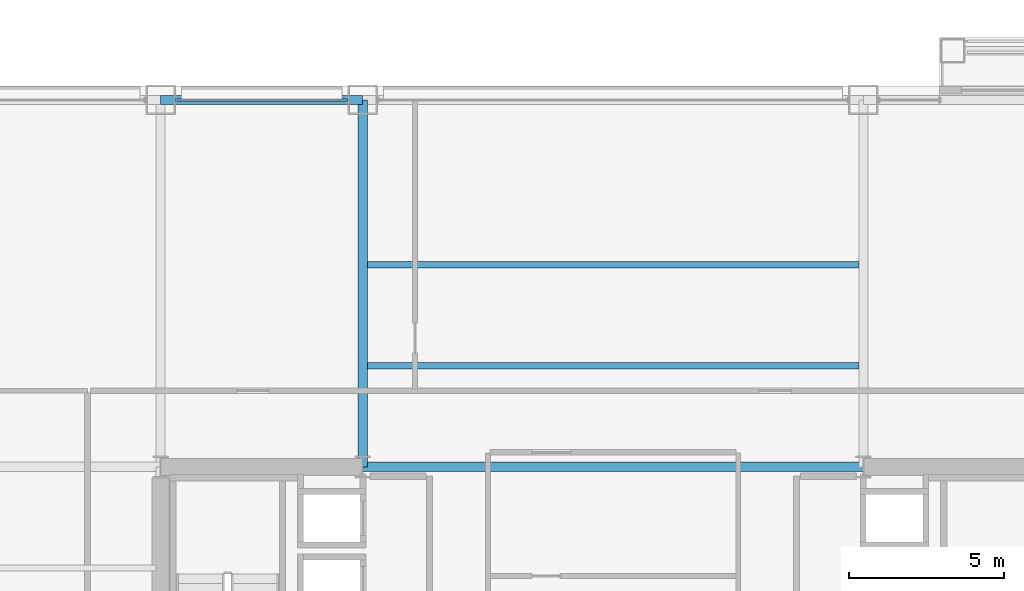
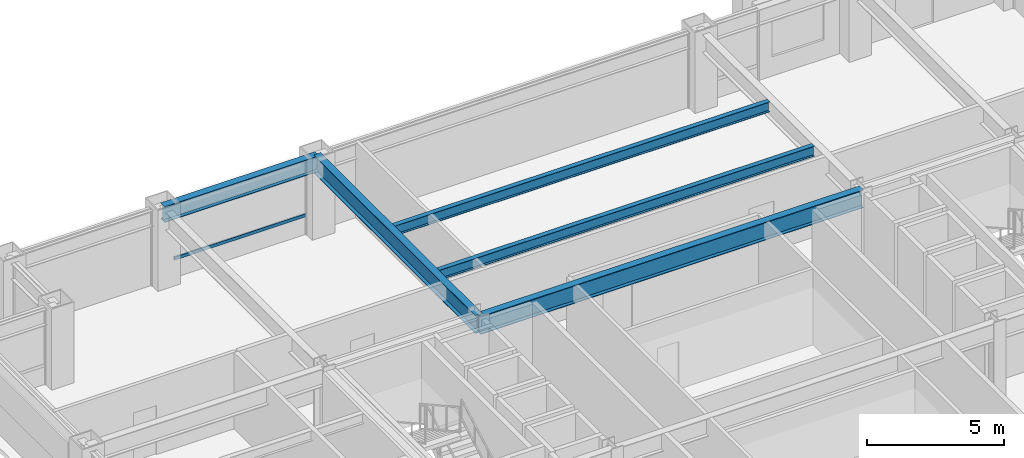
# One storey, part 18 of 31: 5 beams, 1 member, 1 element without a shape of its own.
"""IFC4 building model written with IfcOpenShell, lengths in metres."""

from ifc_helpers import new_model, si_unit, direction, frame, origin, origin_2d, place, context, subcontext, project, spatial, hollow_rectangle, i_section, extrude, material, layer, layer_set, material_profile, profile_set, type_object, element, aggregate, save


model = new_model("IFC4")

# Units and contexts
model_context = context("Model", 3, precision=1e-05, world=origin(), true_north=direction((0.0, 1.0)))
body_context = subcontext(model_context, "Body", "Model", "MODEL_VIEW")
ifc_project = project(units=[si_unit("LENGTHUNIT", "METRE"), si_unit("AREAUNIT", "SQUARE_METRE"), si_unit("VOLUMEUNIT", "CUBIC_METRE"), si_unit("PLANEANGLEUNIT", "RADIAN"), si_unit("MASSUNIT", "GRAM", prefix="KILO")], contexts=[model_context])

# Site, building, storey
site_placement = place(None, origin())
site = spatial("IfcSite", under=ifc_project, at=site_placement, CompositionType="ELEMENT")
building_placement = place(site_placement, origin())
building = spatial("IfcBuilding", under=site, at=building_placement, Name="Brelmoor Portico Tower", CompositionType="ELEMENT")
storey_placement = place(building_placement, frame((0.0, 0.0, 27.60009765625)))
storey = spatial("IfcBuildingStorey", under=building, at=storey_placement, Name="L06", CompositionType="ELEMENT", Elevation=27.60009765625)

# Beams
ifc_material_1 = material(Name="Steel Q355B", Category="steel")
ifc_material_profile_1 = material_profile(ifc_material_1, i_section(OverallWidth=0.199951171875, OverallDepth=0.449951171875, WebThickness=0.009033203125, FlangeThickness=0.013916015625, at=origin_2d()), Name="HN 450x200x9x14")
ifc_profile_set_1 = profile_set([ifc_material_profile_1], Name="Steel Q355B")
beam_type_1 = type_object("IfcBeamType", Name="BM-JS-450", PredefinedType="JOIST", material=ifc_profile_set_1)
for number, where, z_axis, x_axis, name in (
    (1, (-7.89990234375, 13.0, 3.1748046875), (1.0, 0.0, 0.0), (0.0, 1.0, 0.0), "L06 Secondary Composite Joist JS-C03"),
    (2, (-7.89990234375, 16.25, 3.1748046875), (1.0, 0.0, 0.0), (0.0, 1.0, 0.0), "L06 Secondary Composite Joist JS-C04"),
):
    element("IfcBeam", number, at=place(storey_placement, frame(where, z_axis=z_axis, x_axis=x_axis)), inside=storey, type_object=beam_type_1, Name=name, PredefinedType="JOIST", context=body_context, shape_type="SweptSolid", body=[
        extrude(i_section(OverallWidth=0.199951171875, OverallDepth=0.449951171875, WebThickness=0.009033203125, FlangeThickness=0.013916015625, at=origin_2d()), origin(), (0.0, 0.0, 1.0), 15.7998046875),
    ])
ifc_material_profile_2 = material_profile(ifc_material_1, i_section(OverallWidth=0.300048828125, OverallDepth=0.800048828125, WebThickness=0.013916015625, FlangeThickness=0.02587890625, at=origin_2d()), Name="HN 800x300x14x26")
ifc_profile_set_2 = profile_set([ifc_material_profile_2], Name="Steel Q355B")
beam_type_2 = type_object("IfcBeamType", Name="BM-PG-800", PredefinedType="BEAM", material=ifc_profile_set_2)
beam_1_placement = place(storey_placement, frame((-8.050048828125, 9.75, 3.0), z_axis=(0.0, 1.0, 0.0), x_axis=(-1.0, 0.0, 0.0)))
element("IfcBeam", 3, at=beam_1_placement, inside=storey, type_object=beam_type_2, Name="L06 Primary Floor Girder PG-08", PredefinedType="BEAM", context=body_context, shape_type="SweptSolid", body=[
    extrude(i_section(OverallWidth=0.300048828125, OverallDepth=0.800048828125, WebThickness=0.013916015625, FlangeThickness=0.02587890625, at=origin_2d()), origin(), (0.0, 0.0, 1.0), 11.800048828125),
])
beam_2_placement = place(storey_placement, frame((-8.050048828125, 9.75, 3.0), z_axis=(1.0, 0.0, 0.0), x_axis=(0.0, 1.0, 0.0)))
element("IfcBeam", 4, at=beam_2_placement, inside=storey, type_object=beam_type_2, Name="L06 Primary Floor Girder PG-29", PredefinedType="BEAM", context=body_context, shape_type="SweptSolid", body=[
    extrude(i_section(OverallWidth=0.300048828125, OverallDepth=0.800048828125, WebThickness=0.013916015625, FlangeThickness=0.02587890625, at=origin_2d()), origin(), (0.0, 0.0, 1.0), 16.10009765625),
])
ifc_material_profile_3 = material_profile(ifc_material_1, i_section(OverallWidth=0.300048828125, OverallDepth=0.699951171875, WebThickness=0.012939453125, FlangeThickness=0.02392578125, at=origin_2d()), Name="HN 700x300x13x24")
ifc_profile_set_3 = profile_set([ifc_material_profile_3], Name="Steel Q355B")
beam_type_3 = type_object("IfcBeamType", Name="BM-SP-700", PredefinedType="SPANDREL", material=ifc_profile_set_3)
beam_3_placement = place(storey_placement, frame((-14.550048828125, 21.550048828125, 3.0498046875), z_axis=(1.0, 0.0, 0.0), x_axis=(0.0, 1.0, 0.0)))
element("IfcBeam", 5, at=beam_3_placement, inside=storey, type_object=beam_type_3, Name="L06 Perimeter Spandrel Beam SP-11", PredefinedType="SPANDREL", context=body_context, shape_type="SweptSolid", body=[
    extrude(i_section(OverallWidth=0.300048828125, OverallDepth=0.699951171875, WebThickness=0.012939453125, FlangeThickness=0.02392578125, at=origin_2d()), origin(), (0.0, 0.0, 1.0), 6.5),
])

# Curtain wall, member
ifc_material_2 = material(Name="Anodised Aluminium Alloy 6063-T6", Category="aluminium")
ifc_layer = layer(ifc_material_2, 0.179931640625)
ifc_layer_set = layer_set([ifc_layer], Name="Anodised Aluminium Alloy 6063-T6")
curtain_wall_type = type_object("IfcCurtainWallType", Name="CW-TOWER-Z1", PredefinedType="NOTDEFINED", material=ifc_layer_set)
curtain_wall_placement = place(storey_placement, origin())
curtain_wall = element("IfcCurtainWall", 6, at=curtain_wall_placement, inside=storey, type_object=curtain_wall_type, Name="L06 Curtain Wall CW-L06-2L-2", PredefinedType="NOTDEFINED")
ifc_material_profile_4 = material_profile(ifc_material_2, hollow_rectangle(XDim=0.06494140625, YDim=0.139892578125, WallThickness=0.00390625, at=origin_2d()), Name="ALU TRANSOM 65x140")
ifc_profile_set_4 = profile_set([ifc_material_profile_4], Name="Anodised Aluminium Alloy 6063-T6")
member_type = type_object("IfcMemberType", Name="MB-CW-TRAN-140", PredefinedType="USERDEFINED", material=ifc_profile_set_4)
member_placement = place(storey_placement, frame((-14.06494140625, 21.550048828125, 0.849853515625), z_axis=(1.0, 0.0, 0.0), x_axis=(0.0, 1.0, 0.0)))
member = element("IfcMember", 7, at=member_placement, type_object=member_type, Name="CW-L06-2L-2 Transom 1-00", ObjectType="TRANSOM", PredefinedType="USERDEFINED", context=body_context, shape_type="SweptSolid", body=[
    extrude(hollow_rectangle(XDim=0.06494140625, YDim=0.139892578125, WallThickness=0.00390625, at=origin_2d()), origin(), (0.0, 0.0, 1.0), 5.530029296875),
])
aggregate(curtain_wall, [member])

save(model, "model.ifc")
